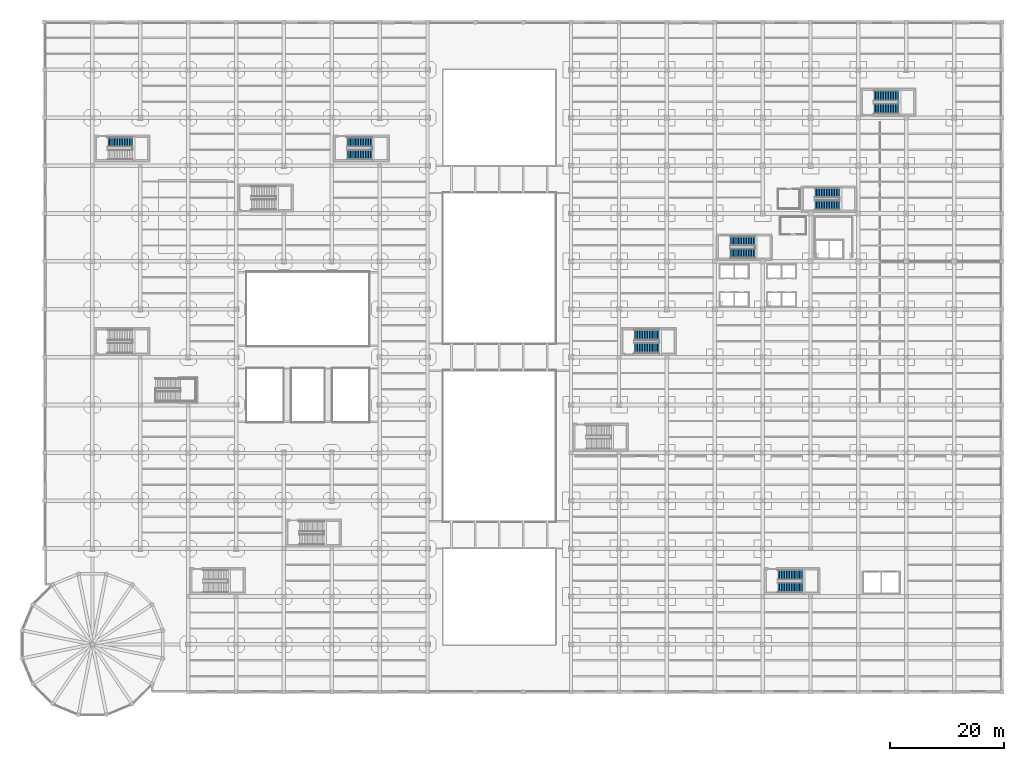
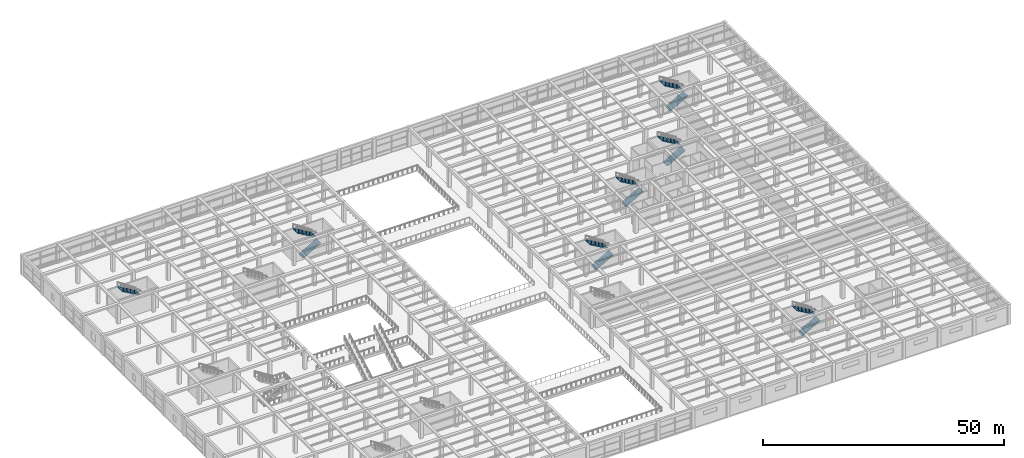
# One storey, part 84 of 95: 13 stair flights, 7 elements without a shape of their own.
"""IFC4 building model written with IfcOpenShell, lengths in metres."""

from ifc_helpers import new_model, si_unit, direction, frame, origin, place, context, subcontext, project, spatial, polyline, outline, extrude, material, layer, layer_set, type_object, element, aggregate, save


model = new_model("IFC4")

# Units and contexts
model_context = context("Model", 3, precision=1e-05, world=origin(), true_north=direction((0.0, 1.0)))
body_context = subcontext(model_context, "Body", "Model", "MODEL_VIEW")
ifc_project = project(units=[si_unit("LENGTHUNIT", "METRE"), si_unit("AREAUNIT", "SQUARE_METRE"), si_unit("VOLUMEUNIT", "CUBIC_METRE"), si_unit("PLANEANGLEUNIT", "RADIAN"), si_unit("MASSUNIT", "GRAM", prefix="KILO")], contexts=[model_context])

# Site, building, storey
site_placement = place(None, origin())
site = spatial("IfcSite", under=ifc_project, at=site_placement, CompositionType="ELEMENT")
building_placement = place(site_placement, origin())
building = spatial("IfcBuilding", under=site, at=building_placement, Name="Almacenes y Pasaje Nevantli", CompositionType="ELEMENT")
storey_placement = place(building_placement, frame((0.0, 0.0, 11.39990234375)))
storey = spatial("IfcBuildingStorey", under=building, at=storey_placement, Name="L03", CompositionType="ELEMENT", Elevation=11.39990234375)

# Stair, stair flights
ifc_material_1 = material(Name="Concrete C35/45", Category="concrete")
stair_type_1 = type_object("IfcStairType", Name="STR-CORE-1720", PredefinedType="HALF_TURN_STAIR", material=ifc_material_1)
stair_1_placement = place(storey_placement, origin())
stair_1 = element("IfcStair", 1, at=stair_1_placement, inside=storey, type_object=stair_type_1, Name="L03 Staircase ST-01", PredefinedType="HALF_TURN_STAIR")
ifc_material_2 = material(Name="Concrete C35/45", Category="concrete")
ifc_layer = layer(ifc_material_2, 0.199951171875)
ifc_layer_set = layer_set([ifc_layer], Name="Concrete C35/45")
stair_flight_type = type_object("IfcStairFlightType", Name="SFL-RC-200", PredefinedType="STRAIGHT", material=ifc_layer_set)
stair_flight_1_placement = place(storey_placement, frame((120.300048828125, 77.010009765625, 0.0), z_axis=(0.0, 0.0, 1.0), x_axis=(1.0, 0.0, 0.0)))
stair_flight_1 = element("IfcStairFlight", 2, at=stair_flight_1_placement, type_object=stair_flight_type, Name="ST-01-L03 flight 1", NumberOfRisers=16, NumberOfTreads=15, PredefinedType="STRAIGHT", RiserHeight=0.16875, TreadLength=0.29, context=body_context, shape_type="SweptSolid", body=[
    extrude(outline(polyline([(0.0, 0.0), (0.0, 0.168701171875), (0.2900390625, 0.168701171875), (0.2900390625, 0.33740234375), (0.580078125, 0.33740234375), (0.580078125, 0.50634765625), (0.8701171875, 0.50634765625), (0.8701171875, 0.675048828125), (1.159912109375, 0.675048828125), (1.159912109375, 0.84375), (1.449951171875, 0.84375), (1.449951171875, 1.012451171875), (1.739990234375, 1.012451171875), (1.739990234375, 1.18115234375), (2.030029296875, 1.18115234375), (2.030029296875, 1.35009765625), (2.320068359375, 1.35009765625), (2.320068359375, 1.518798828125), (2.610107421875, 1.518798828125), (2.610107421875, 1.6875), (2.89990234375, 1.6875), (2.89990234375, 1.856201171875), (3.18994140625, 1.856201171875), (3.18994140625, 2.02490234375), (3.47998046875, 2.02490234375), (3.47998046875, 2.19384765625), (3.77001953125, 2.19384765625), (3.77001953125, 2.362548828125), (4.06005859375, 2.362548828125), (4.06005859375, 2.53125), (4.35009765625, 2.53125), (4.35009765625, 2.699951171875), (4.35009765625, 2.2998046875), (0.3974609375, 0.0), (0.0, 0.0)])), frame((0.0, 0.85986328125, 0.0), z_axis=(0.0, -1.0, 0.0), x_axis=(1.0, 0.0, 0.0)), (0.0, 0.0, 1.0), 1.719970703125),
])
stair_flight_2_placement = place(storey_placement, frame((124.64990234375, 79.179931640625, 2.7001953125), z_axis=(0.0, 0.0, 1.0), x_axis=(-1.0, 0.0, 0.0)))
stair_flight_2 = element("IfcStairFlight", 3, at=stair_flight_2_placement, type_object=stair_flight_type, Name="ST-01-L03 flight 2", NumberOfRisers=16, NumberOfTreads=15, PredefinedType="STRAIGHT", RiserHeight=0.16875, TreadLength=0.29, context=body_context, shape_type="SweptSolid", body=[
    extrude(outline(polyline([(0.0, 0.0), (0.0, 0.168701171875), (0.2900390625, 0.168701171875), (0.2900390625, 0.33740234375), (0.580078125, 0.33740234375), (0.580078125, 0.50634765625), (0.8701171875, 0.50634765625), (0.8701171875, 0.675048828125), (1.159912109375, 0.675048828125), (1.159912109375, 0.84375), (1.449951171875, 0.84375), (1.449951171875, 1.012451171875), (1.739990234375, 1.012451171875), (1.739990234375, 1.18115234375), (2.030029296875, 1.18115234375), (2.030029296875, 1.35009765625), (2.320068359375, 1.35009765625), (2.320068359375, 1.518798828125), (2.610107421875, 1.518798828125), (2.610107421875, 1.6875), (2.89990234375, 1.6875), (2.89990234375, 1.856201171875), (3.18994140625, 1.856201171875), (3.18994140625, 2.02490234375), (3.47998046875, 2.02490234375), (3.47998046875, 2.19384765625), (3.77001953125, 2.19384765625), (3.77001953125, 2.362548828125), (4.06005859375, 2.362548828125), (4.06005859375, 2.53125), (4.35009765625, 2.53125), (4.35009765625, 2.699951171875), (4.35009765625, 2.2998046875), (0.3974609375, 0.0), (0.0, 0.0)])), frame((0.0, 0.85986328125, 0.0), z_axis=(0.0, -1.0, 0.0), x_axis=(1.0, 0.0, 0.0)), (0.0, 0.0, 1.0), 1.719970703125),
])
aggregate(stair_1, [stair_flight_1, stair_flight_2])

stair_2_placement = place(storey_placement, origin())
stair_2 = element("IfcStair", 4, at=stair_2_placement, inside=storey, type_object=stair_type_1, Name="L03 Staircase ST-02", PredefinedType="HALF_TURN_STAIR")
stair_flight_3_placement = place(storey_placement, frame((135.14990234375, 85.4599609375, 0.0), z_axis=(0.0, 0.0, 1.0), x_axis=(1.0, 0.0, 0.0)))
stair_flight_3 = element("IfcStairFlight", 5, at=stair_flight_3_placement, type_object=stair_flight_type, Name="ST-02-L03 flight 1", NumberOfRisers=16, NumberOfTreads=15, PredefinedType="STRAIGHT", RiserHeight=0.16875, TreadLength=0.29, context=body_context, shape_type="SweptSolid", body=[
    extrude(outline(polyline([(0.0, 0.0), (0.0, 0.168701171875), (0.2900390625, 0.168701171875), (0.2900390625, 0.33740234375), (0.580078125, 0.33740234375), (0.580078125, 0.50634765625), (0.8701171875, 0.50634765625), (0.8701171875, 0.675048828125), (1.159912109375, 0.675048828125), (1.159912109375, 0.84375), (1.449951171875, 0.84375), (1.449951171875, 1.012451171875), (1.739990234375, 1.012451171875), (1.739990234375, 1.18115234375), (2.030029296875, 1.18115234375), (2.030029296875, 1.35009765625), (2.320068359375, 1.35009765625), (2.320068359375, 1.518798828125), (2.610107421875, 1.518798828125), (2.610107421875, 1.6875), (2.89990234375, 1.6875), (2.89990234375, 1.856201171875), (3.18994140625, 1.856201171875), (3.18994140625, 2.02490234375), (3.47998046875, 2.02490234375), (3.47998046875, 2.19384765625), (3.77001953125, 2.19384765625), (3.77001953125, 2.362548828125), (4.06005859375, 2.362548828125), (4.06005859375, 2.53125), (4.35009765625, 2.53125), (4.35009765625, 2.699951171875), (4.35009765625, 2.2998046875), (0.3974609375, 0.0), (0.0, 0.0)])), frame((0.0, 0.85986328125, 0.0), z_axis=(0.0, -1.0, 0.0), x_axis=(1.0, 0.0, 0.0)), (0.0, 0.0, 1.0), 1.719970703125),
])
stair_flight_4_placement = place(storey_placement, frame((139.5, 87.6298828125, 2.7001953125), z_axis=(0.0, 0.0, 1.0), x_axis=(-1.0, 0.0, 0.0)))
stair_flight_4 = element("IfcStairFlight", 6, at=stair_flight_4_placement, type_object=stair_flight_type, Name="ST-02-L03 flight 2", NumberOfRisers=16, NumberOfTreads=15, PredefinedType="STRAIGHT", RiserHeight=0.16875, TreadLength=0.29, context=body_context, shape_type="SweptSolid", body=[
    extrude(outline(polyline([(0.0, 0.0), (0.0, 0.168701171875), (0.2900390625, 0.168701171875), (0.2900390625, 0.33740234375), (0.580078125, 0.33740234375), (0.580078125, 0.50634765625), (0.8701171875, 0.50634765625), (0.8701171875, 0.675048828125), (1.159912109375, 0.675048828125), (1.159912109375, 0.84375), (1.449951171875, 0.84375), (1.449951171875, 1.012451171875), (1.739990234375, 1.012451171875), (1.739990234375, 1.18115234375), (2.030029296875, 1.18115234375), (2.030029296875, 1.35009765625), (2.320068359375, 1.35009765625), (2.320068359375, 1.518798828125), (2.610107421875, 1.518798828125), (2.610107421875, 1.6875), (2.89990234375, 1.6875), (2.89990234375, 1.856201171875), (3.18994140625, 1.856201171875), (3.18994140625, 2.02490234375), (3.47998046875, 2.02490234375), (3.47998046875, 2.19384765625), (3.77001953125, 2.19384765625), (3.77001953125, 2.362548828125), (4.06005859375, 2.362548828125), (4.06005859375, 2.53125), (4.35009765625, 2.53125), (4.35009765625, 2.699951171875), (4.35009765625, 2.2998046875), (0.3974609375, 0.0), (0.0, 0.0)])), frame((0.0, 0.85986328125, 0.0), z_axis=(0.0, -1.0, 0.0), x_axis=(1.0, 0.0, 0.0)), (0.0, 0.0, 1.0), 1.719970703125),
])
aggregate(stair_2, [stair_flight_3, stair_flight_4])

# Stair, stair flight
ifc_material_3 = material(Name="Concrete C35/45", Category="concrete")
stair_type_2 = type_object("IfcStairType", Name="STR-CORE-1750", PredefinedType="HALF_TURN_STAIR", material=ifc_material_3)
stair_3_placement = place(storey_placement, origin())
stair_3 = element("IfcStair", 7, at=stair_3_placement, inside=storey, type_object=stair_type_2, Name="L03 Staircase ST-03", PredefinedType="HALF_TURN_STAIR")
stair_flight_5_placement = place(storey_placement, frame((15.449951171875, 96.52490234375, 2.7001953125), z_axis=(0.0, 0.0, 1.0), x_axis=(-1.0, 0.0, 0.0)))
stair_flight_5 = element("IfcStairFlight", 8, at=stair_flight_5_placement, type_object=stair_flight_type, Name="ST-03-L03 flight 2", NumberOfRisers=16, NumberOfTreads=15, PredefinedType="STRAIGHT", RiserHeight=0.16875, TreadLength=0.29, context=body_context, shape_type="SweptSolid", body=[
    extrude(outline(polyline([(0.0, 0.0), (0.0, 0.168701171875), (0.2900390625, 0.168701171875), (0.2900390625, 0.33740234375), (0.580078125, 0.33740234375), (0.580078125, 0.50634765625), (0.8701171875, 0.50634765625), (0.8701171875, 0.675048828125), (1.159912109375, 0.675048828125), (1.159912109375, 0.84375), (1.449951171875, 0.84375), (1.449951171875, 1.012451171875), (1.739990234375, 1.012451171875), (1.739990234375, 1.18115234375), (2.030029296875, 1.18115234375), (2.030029296875, 1.35009765625), (2.320068359375, 1.35009765625), (2.320068359375, 1.518798828125), (2.610107421875, 1.518798828125), (2.610107421875, 1.6875), (2.89990234375, 1.6875), (2.89990234375, 1.856201171875), (3.18994140625, 1.856201171875), (3.18994140625, 2.02490234375), (3.47998046875, 2.02490234375), (3.47998046875, 2.19384765625), (3.77001953125, 2.19384765625), (3.77001953125, 2.362548828125), (4.06005859375, 2.362548828125), (4.06005859375, 2.53125), (4.35009765625, 2.53125), (4.35009765625, 2.699951171875), (4.35009765625, 2.2998046875), (0.3974609375, 0.0), (0.0, 0.0)])), frame((0.0, 0.875, 0.0), z_axis=(0.0, -1.0, 0.0), x_axis=(1.0, 0.0, 0.0)), (0.0, 0.0, 1.0), 1.75),
])
aggregate(stair_3, [stair_flight_5])

# Stair, stair flights
stair_4_placement = place(storey_placement, origin())
stair_4 = element("IfcStair", 9, at=stair_4_placement, inside=storey, type_object=stair_type_2, Name="L03 Staircase ST-05", PredefinedType="HALF_TURN_STAIR")
stair_flight_6_placement = place(storey_placement, frame((53.10009765625, 94.324951171875, 0.0), z_axis=(0.0, 0.0, 1.0), x_axis=(1.0, 0.0, 0.0)))
stair_flight_6 = element("IfcStairFlight", 10, at=stair_flight_6_placement, type_object=stair_flight_type, Name="ST-05-L03 flight 1", NumberOfRisers=16, NumberOfTreads=15, PredefinedType="STRAIGHT", RiserHeight=0.16875, TreadLength=0.29, context=body_context, shape_type="SweptSolid", body=[
    extrude(outline(polyline([(0.0, 0.0), (0.0, 0.168701171875), (0.2900390625, 0.168701171875), (0.2900390625, 0.33740234375), (0.580078125, 0.33740234375), (0.580078125, 0.50634765625), (0.8701171875, 0.50634765625), (0.8701171875, 0.675048828125), (1.159912109375, 0.675048828125), (1.159912109375, 0.84375), (1.449951171875, 0.84375), (1.449951171875, 1.012451171875), (1.739990234375, 1.012451171875), (1.739990234375, 1.18115234375), (2.030029296875, 1.18115234375), (2.030029296875, 1.35009765625), (2.320068359375, 1.35009765625), (2.320068359375, 1.518798828125), (2.610107421875, 1.518798828125), (2.610107421875, 1.6875), (2.89990234375, 1.6875), (2.89990234375, 1.856201171875), (3.18994140625, 1.856201171875), (3.18994140625, 2.02490234375), (3.47998046875, 2.02490234375), (3.47998046875, 2.19384765625), (3.77001953125, 2.19384765625), (3.77001953125, 2.362548828125), (4.06005859375, 2.362548828125), (4.06005859375, 2.53125), (4.35009765625, 2.53125), (4.35009765625, 2.699951171875), (4.35009765625, 2.2998046875), (0.3974609375, 0.0), (0.0, 0.0)])), frame((0.0, 0.875, 0.0), z_axis=(0.0, -1.0, 0.0), x_axis=(1.0, 0.0, 0.0)), (0.0, 0.0, 1.0), 1.75),
])
stair_flight_7_placement = place(storey_placement, frame((57.449951171875, 96.52490234375, 2.7001953125), z_axis=(0.0, 0.0, 1.0), x_axis=(-1.0, 0.0, 0.0)))
stair_flight_7 = element("IfcStairFlight", 11, at=stair_flight_7_placement, type_object=stair_flight_type, Name="ST-05-L03 flight 2", NumberOfRisers=16, NumberOfTreads=15, PredefinedType="STRAIGHT", RiserHeight=0.16875, TreadLength=0.29, context=body_context, shape_type="SweptSolid", body=[
    extrude(outline(polyline([(0.0, 0.0), (0.0, 0.168701171875), (0.2900390625, 0.168701171875), (0.2900390625, 0.33740234375), (0.580078125, 0.33740234375), (0.580078125, 0.50634765625), (0.8701171875, 0.50634765625), (0.8701171875, 0.675048828125), (1.159912109375, 0.675048828125), (1.159912109375, 0.84375), (1.449951171875, 0.84375), (1.449951171875, 1.012451171875), (1.739990234375, 1.012451171875), (1.739990234375, 1.18115234375), (2.030029296875, 1.18115234375), (2.030029296875, 1.35009765625), (2.320068359375, 1.35009765625), (2.320068359375, 1.518798828125), (2.610107421875, 1.518798828125), (2.610107421875, 1.6875), (2.89990234375, 1.6875), (2.89990234375, 1.856201171875), (3.18994140625, 1.856201171875), (3.18994140625, 2.02490234375), (3.47998046875, 2.02490234375), (3.47998046875, 2.19384765625), (3.77001953125, 2.19384765625), (3.77001953125, 2.362548828125), (4.06005859375, 2.362548828125), (4.06005859375, 2.53125), (4.35009765625, 2.53125), (4.35009765625, 2.699951171875), (4.35009765625, 2.2998046875), (0.3974609375, 0.0), (0.0, 0.0)])), frame((0.0, 0.875, 0.0), z_axis=(0.0, -1.0, 0.0), x_axis=(1.0, 0.0, 0.0)), (0.0, 0.0, 1.0), 1.75),
])
aggregate(stair_4, [stair_flight_6, stair_flight_7])

stair_5_placement = place(storey_placement, origin())
stair_5 = element("IfcStair", 12, at=stair_5_placement, inside=storey, type_object=stair_type_2, Name="L03 Staircase ST-06", PredefinedType="HALF_TURN_STAIR")
stair_flight_8_placement = place(storey_placement, frame((128.699951171875, 18.375, 0.0), z_axis=(0.0, 0.0, 1.0), x_axis=(1.0, 0.0, 0.0)))
stair_flight_8 = element("IfcStairFlight", 13, at=stair_flight_8_placement, type_object=stair_flight_type, Name="ST-06-L03 flight 1", NumberOfRisers=16, NumberOfTreads=15, PredefinedType="STRAIGHT", RiserHeight=0.16875, TreadLength=0.29, context=body_context, shape_type="SweptSolid", body=[
    extrude(outline(polyline([(0.0, 0.0), (0.0, 0.168701171875), (0.2900390625, 0.168701171875), (0.2900390625, 0.33740234375), (0.580078125, 0.33740234375), (0.580078125, 0.50634765625), (0.8701171875, 0.50634765625), (0.8701171875, 0.675048828125), (1.159912109375, 0.675048828125), (1.159912109375, 0.84375), (1.449951171875, 0.84375), (1.449951171875, 1.012451171875), (1.739990234375, 1.012451171875), (1.739990234375, 1.18115234375), (2.030029296875, 1.18115234375), (2.030029296875, 1.35009765625), (2.320068359375, 1.35009765625), (2.320068359375, 1.518798828125), (2.610107421875, 1.518798828125), (2.610107421875, 1.6875), (2.89990234375, 1.6875), (2.89990234375, 1.856201171875), (3.18994140625, 1.856201171875), (3.18994140625, 2.02490234375), (3.47998046875, 2.02490234375), (3.47998046875, 2.19384765625), (3.77001953125, 2.19384765625), (3.77001953125, 2.362548828125), (4.06005859375, 2.362548828125), (4.06005859375, 2.53125), (4.35009765625, 2.53125), (4.35009765625, 2.699951171875), (4.35009765625, 2.2998046875), (0.3974609375, 0.0), (0.0, 0.0)])), frame((0.0, 0.875, 0.0), z_axis=(0.0, -1.0, 0.0), x_axis=(1.0, 0.0, 0.0)), (0.0, 0.0, 1.0), 1.75),
])
stair_flight_9_placement = place(storey_placement, frame((133.050048828125, 20.574951171875, 2.7001953125), z_axis=(0.0, 0.0, 1.0), x_axis=(-1.0, 0.0, 0.0)))
stair_flight_9 = element("IfcStairFlight", 14, at=stair_flight_9_placement, type_object=stair_flight_type, Name="ST-06-L03 flight 2", NumberOfRisers=16, NumberOfTreads=15, PredefinedType="STRAIGHT", RiserHeight=0.16875, TreadLength=0.29, context=body_context, shape_type="SweptSolid", body=[
    extrude(outline(polyline([(0.0, 0.0), (0.0, 0.168701171875), (0.2900390625, 0.168701171875), (0.2900390625, 0.33740234375), (0.580078125, 0.33740234375), (0.580078125, 0.50634765625), (0.8701171875, 0.50634765625), (0.8701171875, 0.675048828125), (1.159912109375, 0.675048828125), (1.159912109375, 0.84375), (1.449951171875, 0.84375), (1.449951171875, 1.012451171875), (1.739990234375, 1.012451171875), (1.739990234375, 1.18115234375), (2.030029296875, 1.18115234375), (2.030029296875, 1.35009765625), (2.320068359375, 1.35009765625), (2.320068359375, 1.518798828125), (2.610107421875, 1.518798828125), (2.610107421875, 1.6875), (2.89990234375, 1.6875), (2.89990234375, 1.856201171875), (3.18994140625, 1.856201171875), (3.18994140625, 2.02490234375), (3.47998046875, 2.02490234375), (3.47998046875, 2.19384765625), (3.77001953125, 2.19384765625), (3.77001953125, 2.362548828125), (4.06005859375, 2.362548828125), (4.06005859375, 2.53125), (4.35009765625, 2.53125), (4.35009765625, 2.699951171875), (4.35009765625, 2.2998046875), (0.3974609375, 0.0), (0.0, 0.0)])), frame((0.0, 0.875, 0.0), z_axis=(0.0, -1.0, 0.0), x_axis=(1.0, 0.0, 0.0)), (0.0, 0.0, 1.0), 1.75),
])
aggregate(stair_5, [stair_flight_8, stair_flight_9])

ifc_material_4 = material(Name="Concrete C35/45", Category="concrete")
stair_type_3 = type_object("IfcStairType", Name="STR-CORE-1850", PredefinedType="HALF_TURN_STAIR", material=ifc_material_4)
stair_6_placement = place(storey_placement, origin())
stair_6 = element("IfcStair", 15, at=stair_6_placement, inside=storey, type_object=stair_type_3, Name="L03 Staircase ST-07", PredefinedType="HALF_TURN_STAIR")
stair_flight_10_placement = place(storey_placement, frame((145.5, 102.375, 0.0), z_axis=(0.0, 0.0, 1.0), x_axis=(1.0, 0.0, 0.0)))
stair_flight_10 = element("IfcStairFlight", 16, at=stair_flight_10_placement, type_object=stair_flight_type, Name="ST-07-L03 flight 1", NumberOfRisers=16, NumberOfTreads=15, PredefinedType="STRAIGHT", RiserHeight=0.16875, TreadLength=0.29, context=body_context, shape_type="SweptSolid", body=[
    extrude(outline(polyline([(0.0, 0.0), (0.0, 0.168701171875), (0.2900390625, 0.168701171875), (0.2900390625, 0.33740234375), (0.580078125, 0.33740234375), (0.580078125, 0.50634765625), (0.8701171875, 0.50634765625), (0.8701171875, 0.675048828125), (1.159912109375, 0.675048828125), (1.159912109375, 0.84375), (1.449951171875, 0.84375), (1.449951171875, 1.012451171875), (1.739990234375, 1.012451171875), (1.739990234375, 1.18115234375), (2.030029296875, 1.18115234375), (2.030029296875, 1.35009765625), (2.320068359375, 1.35009765625), (2.320068359375, 1.518798828125), (2.610107421875, 1.518798828125), (2.610107421875, 1.6875), (2.89990234375, 1.6875), (2.89990234375, 1.856201171875), (3.18994140625, 1.856201171875), (3.18994140625, 2.02490234375), (3.47998046875, 2.02490234375), (3.47998046875, 2.19384765625), (3.77001953125, 2.19384765625), (3.77001953125, 2.362548828125), (4.06005859375, 2.362548828125), (4.06005859375, 2.53125), (4.35009765625, 2.53125), (4.35009765625, 2.699951171875), (4.35009765625, 2.2998046875), (0.3974609375, 0.0), (0.0, 0.0)])), frame((0.0, 0.925048828125, 0.0), z_axis=(0.0, -1.0, 0.0), x_axis=(1.0, 0.0, 0.0)), (0.0, 0.0, 1.0), 1.85009765625),
])
stair_flight_11_placement = place(storey_placement, frame((149.85009765625, 104.675048828125, 2.7001953125), z_axis=(0.0, 0.0, 1.0), x_axis=(-1.0, 0.0, 0.0)))
stair_flight_11 = element("IfcStairFlight", 17, at=stair_flight_11_placement, type_object=stair_flight_type, Name="ST-07-L03 flight 2", NumberOfRisers=16, NumberOfTreads=15, PredefinedType="STRAIGHT", RiserHeight=0.16875, TreadLength=0.29, context=body_context, shape_type="SweptSolid", body=[
    extrude(outline(polyline([(0.0, 0.0), (0.0, 0.168701171875), (0.2900390625, 0.168701171875), (0.2900390625, 0.33740234375), (0.580078125, 0.33740234375), (0.580078125, 0.50634765625), (0.8701171875, 0.50634765625), (0.8701171875, 0.675048828125), (1.159912109375, 0.675048828125), (1.159912109375, 0.84375), (1.449951171875, 0.84375), (1.449951171875, 1.012451171875), (1.739990234375, 1.012451171875), (1.739990234375, 1.18115234375), (2.030029296875, 1.18115234375), (2.030029296875, 1.35009765625), (2.320068359375, 1.35009765625), (2.320068359375, 1.518798828125), (2.610107421875, 1.518798828125), (2.610107421875, 1.6875), (2.89990234375, 1.6875), (2.89990234375, 1.856201171875), (3.18994140625, 1.856201171875), (3.18994140625, 2.02490234375), (3.47998046875, 2.02490234375), (3.47998046875, 2.19384765625), (3.77001953125, 2.19384765625), (3.77001953125, 2.362548828125), (4.06005859375, 2.362548828125), (4.06005859375, 2.53125), (4.35009765625, 2.53125), (4.35009765625, 2.699951171875), (4.35009765625, 2.2998046875), (0.3974609375, 0.0), (0.0, 0.0)])), frame((0.0, 0.925048828125, 0.0), z_axis=(0.0, -1.0, 0.0), x_axis=(1.0, 0.0, 0.0)), (0.0, 0.0, 1.0), 1.85009765625),
])
aggregate(stair_6, [stair_flight_10, stair_flight_11])

stair_7_placement = place(storey_placement, origin())
stair_7 = element("IfcStair", 18, at=stair_7_placement, inside=storey, type_object=stair_type_3, Name="L03 Staircase ST-13", PredefinedType="HALF_TURN_STAIR")
stair_flight_12_placement = place(storey_placement, frame((103.5, 60.375, 0.0), z_axis=(0.0, 0.0, 1.0), x_axis=(1.0, 0.0, 0.0)))
stair_flight_12 = element("IfcStairFlight", 19, at=stair_flight_12_placement, type_object=stair_flight_type, Name="ST-13-L03 flight 1", NumberOfRisers=16, NumberOfTreads=15, PredefinedType="STRAIGHT", RiserHeight=0.16875, TreadLength=0.29, context=body_context, shape_type="SweptSolid", body=[
    extrude(outline(polyline([(0.0, 0.0), (0.0, 0.168701171875), (0.2900390625, 0.168701171875), (0.2900390625, 0.33740234375), (0.580078125, 0.33740234375), (0.580078125, 0.50634765625), (0.8701171875, 0.50634765625), (0.8701171875, 0.675048828125), (1.159912109375, 0.675048828125), (1.159912109375, 0.84375), (1.449951171875, 0.84375), (1.449951171875, 1.012451171875), (1.739990234375, 1.012451171875), (1.739990234375, 1.18115234375), (2.030029296875, 1.18115234375), (2.030029296875, 1.35009765625), (2.320068359375, 1.35009765625), (2.320068359375, 1.518798828125), (2.610107421875, 1.518798828125), (2.610107421875, 1.6875), (2.89990234375, 1.6875), (2.89990234375, 1.856201171875), (3.18994140625, 1.856201171875), (3.18994140625, 2.02490234375), (3.47998046875, 2.02490234375), (3.47998046875, 2.19384765625), (3.77001953125, 2.19384765625), (3.77001953125, 2.362548828125), (4.06005859375, 2.362548828125), (4.06005859375, 2.53125), (4.35009765625, 2.53125), (4.35009765625, 2.699951171875), (4.35009765625, 2.2998046875), (0.3974609375, 0.0), (0.0, 0.0)])), frame((0.0, 0.925048828125, 0.0), z_axis=(0.0, -1.0, 0.0), x_axis=(1.0, 0.0, 0.0)), (0.0, 0.0, 1.0), 1.85009765625),
])
stair_flight_13_placement = place(storey_placement, frame((107.85009765625, 62.675048828125, 2.7001953125), z_axis=(0.0, 0.0, 1.0), x_axis=(-1.0, 0.0, 0.0)))
stair_flight_13 = element("IfcStairFlight", 20, at=stair_flight_13_placement, type_object=stair_flight_type, Name="ST-13-L03 flight 2", NumberOfRisers=16, NumberOfTreads=15, PredefinedType="STRAIGHT", RiserHeight=0.16875, TreadLength=0.29, context=body_context, shape_type="SweptSolid", body=[
    extrude(outline(polyline([(0.0, 0.0), (0.0, 0.168701171875), (0.2900390625, 0.168701171875), (0.2900390625, 0.33740234375), (0.580078125, 0.33740234375), (0.580078125, 0.50634765625), (0.8701171875, 0.50634765625), (0.8701171875, 0.675048828125), (1.159912109375, 0.675048828125), (1.159912109375, 0.84375), (1.449951171875, 0.84375), (1.449951171875, 1.012451171875), (1.739990234375, 1.012451171875), (1.739990234375, 1.18115234375), (2.030029296875, 1.18115234375), (2.030029296875, 1.35009765625), (2.320068359375, 1.35009765625), (2.320068359375, 1.518798828125), (2.610107421875, 1.518798828125), (2.610107421875, 1.6875), (2.89990234375, 1.6875), (2.89990234375, 1.856201171875), (3.18994140625, 1.856201171875), (3.18994140625, 2.02490234375), (3.47998046875, 2.02490234375), (3.47998046875, 2.19384765625), (3.77001953125, 2.19384765625), (3.77001953125, 2.362548828125), (4.06005859375, 2.362548828125), (4.06005859375, 2.53125), (4.35009765625, 2.53125), (4.35009765625, 2.699951171875), (4.35009765625, 2.2998046875), (0.3974609375, 0.0), (0.0, 0.0)])), frame((0.0, 0.925048828125, 0.0), z_axis=(0.0, -1.0, 0.0), x_axis=(1.0, 0.0, 0.0)), (0.0, 0.0, 1.0), 1.85009765625),
])
aggregate(stair_7, [stair_flight_12, stair_flight_13])

save(model, "model.ifc")
